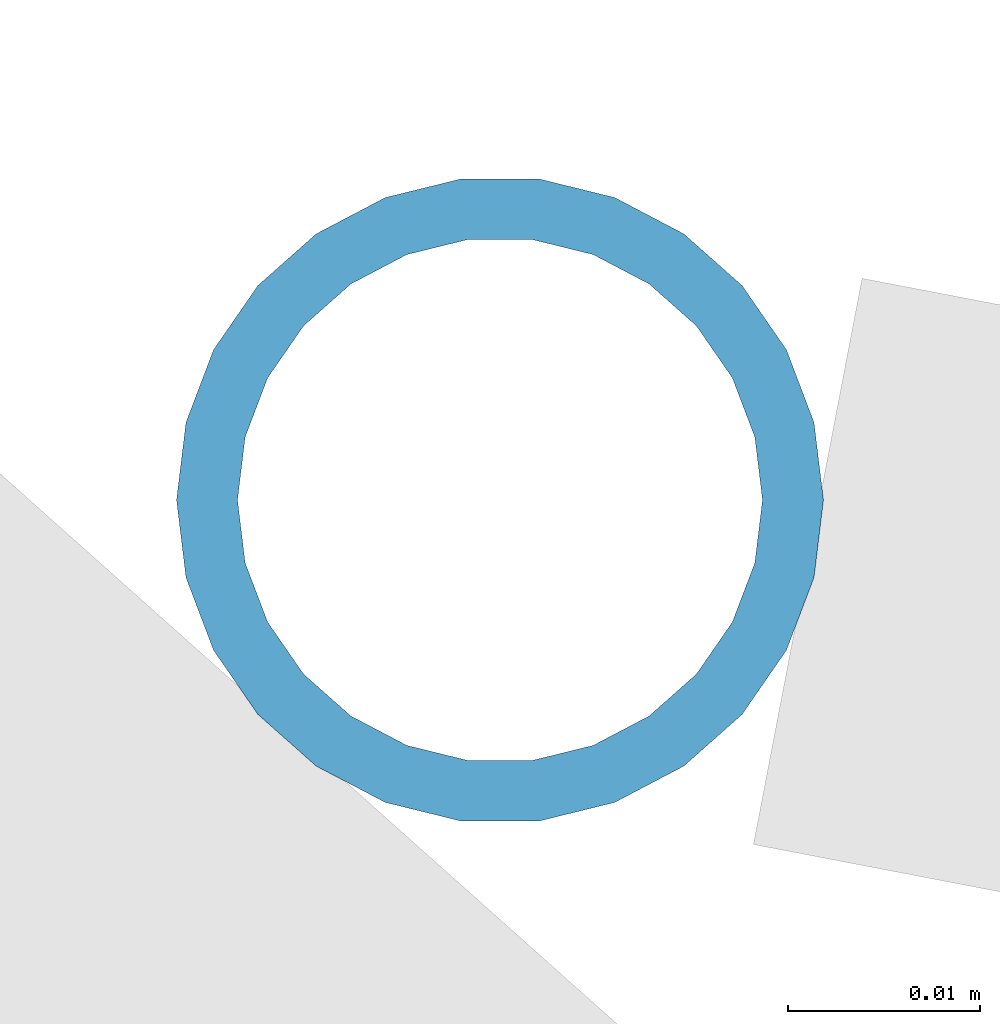
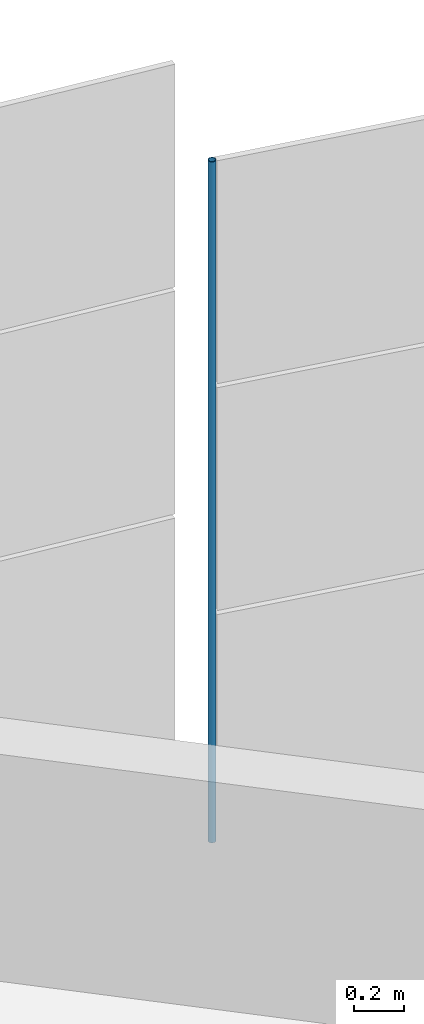
# One storey, part 130 of 199: 1 discrete accessory.
"""IFC4 building model written with IfcOpenShell, lengths in metres."""

import ifcopenshell
import ifcopenshell.guid

model = None  # the IFC model being written
_history = None  # IfcOwnerHistory: only IFC2X3 demands one
_inside = {}  # id of a spatial element -> (the spatial element, [elements in it])
_under = {}  # id of a project, library or spatial element -> (it, [spatial elements below it])
_declared = {}  # id of a project -> (the project, [libraries it declares])
_typed = {}  # id of a type object -> (the type object, [elements of that type])
_made_of = {}  # id of a material, layer set ... -> (it, [elements and type objects made of it])


def new_model(schema):
    """Start an empty IFC model of exactly this schema.

    Asked for "IFC4X3", IfcOpenShell would pick the latest addendum, in which some entities
    have other attributes; the version numbers below select the first issue.
    IFC2X3 requires an IfcOwnerHistory on every rooted entity: one is made here for all.
    """
    global model, _history
    if schema == "IFC4X3":
        model = ifcopenshell.file(schema_version=(4, 3, 0, 0))
    else:
        model = ifcopenshell.file(schema=schema)
    _inside.clear()
    _under.clear()
    _declared.clear()
    _typed.clear()
    _made_of.clear()
    _history = None
    if model.schema == "IFC2X3":
        org = make("IfcOrganization", Name="unknown")
        user = make(
            "IfcPersonAndOrganization",
            ThePerson=make("IfcPerson", FamilyName="unknown"),
            TheOrganization=org,
        )
        app = make(
            "IfcApplication",
            ApplicationDeveloper=org,
            Version="unknown",
            ApplicationFullName="unknown",
            ApplicationIdentifier="unknown",
        )
        _history = make(
            "IfcOwnerHistory",
            OwningUser=user,
            OwningApplication=app,
            ChangeAction="ADDED",
            CreationDate=0,
        )
    return model


def make(cls, **values):
    """One entity of the class cls with the attributes given. An attribute that is None is left unset."""
    return model.create_entity(
        cls, **{name: value for name, value in values.items() if value is not None}
    )


def rooted(cls, **values):
    """An entity with a GlobalId (a new one), such as an element, a storey or a relation."""
    return make(cls, GlobalId=ifcopenshell.guid.new(), OwnerHistory=_history, **values)


def si_unit(unit_type, name, prefix=None):
    """IfcSIUnit, for example si_unit("LENGTHUNIT", "METRE", prefix="MILLI")."""
    return make("IfcSIUnit", UnitType=unit_type, Prefix=prefix, Name=name)


def assignment(units):
    """IfcUnitAssignment: the units of a project."""
    return None if units is None else make("IfcUnitAssignment", Units=units)


def point(xyz):
    """IfcCartesianPoint."""
    return None if xyz is None else make("IfcCartesianPoint", Coordinates=xyz)


def direction(xyz):
    """IfcDirection."""
    return None if xyz is None else make("IfcDirection", DirectionRatios=xyz)


def frame(location, z_axis=None, x_axis=None):
    """IfcAxis2Placement3D, a coordinate frame: its origin and axes. An axis left out is left unset."""
    return make(
        "IfcAxis2Placement3D",
        Location=point(location),
        Axis=direction(z_axis),
        RefDirection=direction(x_axis),
    )


def frame_2d(location, x_axis=None):
    """IfcAxis2Placement2D, a coordinate frame in the plane: its origin and x axis."""
    return make(
        "IfcAxis2Placement2D", Location=point(location), RefDirection=direction(x_axis)
    )


def origin():
    """The frame at (0, 0, 0) with its axes left unset."""
    return frame((0.0, 0.0, 0.0))


def origin_2d():
    """The frame at (0, 0) in the plane with its x axis left unset."""
    return frame_2d((0.0, 0.0))


def place(relative_to, where):
    """IfcLocalPlacement: puts the frame where relative to a parent placement (None: the world)."""
    return make(
        "IfcLocalPlacement", PlacementRelTo=relative_to, RelativePlacement=where
    )


def context(
    kind, dimensions, precision=None, world=None, true_north=None, identifier=None
):
    """IfcGeometricRepresentationContext, for example the 3D "Model" context."""
    return make(
        "IfcGeometricRepresentationContext",
        ContextIdentifier=identifier,
        ContextType=kind,
        CoordinateSpaceDimension=dimensions,
        Precision=precision,
        WorldCoordinateSystem=world,
        TrueNorth=true_north,
    )


def subcontext(parent, identifier, kind, view, scale=None):
    """IfcGeometricRepresentationSubContext, for example "Body" below "Model"."""
    return make(
        "IfcGeometricRepresentationSubContext",
        ContextIdentifier=identifier,
        ContextType=kind,
        ParentContext=parent,
        TargetScale=scale,
        TargetView=view,
    )


def project(units=None, contexts=None):
    """IfcProject with its units and contexts."""
    return rooted(
        "IfcProject",
        Name="project",
        RepresentationContexts=contexts,
        UnitsInContext=assignment(units),
    )


def spatial(cls, under=None, at=None, **own):
    """A site, building, storey or space (cls), placed at a placement, below another one or the project."""
    s = rooted(cls, ObjectPlacement=at, **own)
    if under is not None:
        _under.setdefault(under.id(), (under, []))[1].append(s)
    return s


def profile(cls, at=None, kind="AREA", **sizes):
    """A parametric profile (cls). Its sizes go by their IFC names, for example OverallWidth=200.0."""
    return make(cls, ProfileType=kind, Position=at, **sizes)


def hollow_circle(**sizes):
    """IfcCircleHollowProfileDef."""
    return profile("IfcCircleHollowProfileDef", **sizes)


def extrude(swept, where, along, depth):
    """IfcExtrudedAreaSolid: the profile swept, set in the frame where, extruded along a direction by depth."""
    return make(
        "IfcExtrudedAreaSolid",
        SweptArea=swept,
        Position=where,
        ExtrudedDirection=direction(along),
        Depth=depth,
    )


def shape(context_of_items, identifier, shape_type, items):
    """IfcShapeRepresentation: the items that make up one representation, for example the "Body"."""
    return make(
        "IfcShapeRepresentation",
        ContextOfItems=context_of_items,
        RepresentationIdentifier=identifier,
        RepresentationType=shape_type,
        Items=items,
    )


def material(Name=None, Category=None):
    """IfcMaterial."""
    return make("IfcMaterial", Name=Name, Category=Category)


def material_profile(
    of_material, cross_section, Name=None, Category=None, Priority=None
):
    """IfcMaterialProfile: a cross section and its material."""
    return make(
        "IfcMaterialProfile",
        Name=Name,
        Material=of_material,
        Profile=cross_section,
        Priority=Priority,
        Category=Category,
    )


def profile_set(profiles, Name=None, composite=None):
    """IfcMaterialProfileSet."""
    return make(
        "IfcMaterialProfileSet",
        Name=Name,
        MaterialProfiles=profiles,
        CompositeProfile=composite,
    )


def made_of(thing, what):
    """Note that an element or type object is made of a material, layer set ...; save() writes the relation."""
    if what is not None:
        _made_of.setdefault(what.id(), (what, []))[1].append(thing)
    return thing


def type_object(cls, material=None, **own):
    """A type object (cls), such as IfcWallType, which elements share."""
    return made_of(rooted(cls, **own), material)


def element(
    cls,
    number,
    at=None,
    inside=None,
    cuts=None,
    type_object=None,
    material=None,
    context=None,
    identifier="Body",
    shape_type=None,
    held_by="IfcProductDefinitionShape",
    body=None,
    shapes=None,
    **own,
):
    """One element of the class cls, such as IfcWall. Its Tag is "e" and its number.

    at: its placement. inside: the storey or other place that contains it. cuts: it is an
    opening in that element (IfcRelVoidsElement). A single representation is given by context,
    identifier, shape_type and body (its items); several are given by shapes. held_by: the class
    of the entity that holds the representations. save() writes the other relations.
    """
    e = rooted(cls, Tag="e%d" % number, ObjectPlacement=at, **own)
    if body is not None:
        shapes = [shape(context, identifier, shape_type, body)]
    if shapes is not None:
        e.Representation = make(held_by, Representations=shapes)
    if inside is not None:
        _inside.setdefault(inside.id(), (inside, []))[1].append(e)
    if cuts is not None:
        rooted(
            "IfcRelVoidsElement", RelatingBuildingElement=cuts, RelatedOpeningElement=e
        )
    if type_object is not None:
        _typed.setdefault(type_object.id(), (type_object, []))[1].append(e)
    return made_of(e, material)


def aggregate(whole, parts):
    """IfcRelAggregates: a whole, such as a stair, and the parts it consists of."""
    return rooted("IfcRelAggregates", RelatingObject=whole, RelatedObjects=parts)


def save(model, path):
    """Write the relations noted so far, then the file.

    IfcRelAggregates (storeys below a building ...), IfcRelContainedInSpatialStructure (elements
    in a storey), IfcRelDefinesByType, IfcRelAssociatesMaterial and IfcRelDeclares: one each for
    every whole, place, type object, material and project.
    """
    for whole, parts in _under.values():
        aggregate(whole, parts)
    for where, things in _inside.values():
        rooted(
            "IfcRelContainedInSpatialStructure",
            RelatedElements=things,
            RelatingStructure=where,
        )
    for kind, things in _typed.values():
        rooted("IfcRelDefinesByType", RelatedObjects=things, RelatingType=kind)
    for what, things in _made_of.values():
        rooted("IfcRelAssociatesMaterial", RelatedObjects=things, RelatingMaterial=what)
    for by, libraries in _declared.values():
        rooted("IfcRelDeclares", RelatingContext=by, RelatedDefinitions=libraries)
    model.write(path)


model = new_model("IFC4")

# Units and contexts
model_context = context("Model", 3, precision=1e-05, world=origin(), true_north=direction((0.0, 1.0)))
body_context = subcontext(model_context, "Body", "Model", "MODEL_VIEW")
ifc_project = project(units=[si_unit("LENGTHUNIT", "METRE"), si_unit("AREAUNIT", "SQUARE_METRE"), si_unit("VOLUMEUNIT", "CUBIC_METRE"), si_unit("PLANEANGLEUNIT", "RADIAN"), si_unit("MASSUNIT", "GRAM", prefix="KILO")], contexts=[model_context])

# Site, building, storey
site_placement = place(None, origin())
site = spatial("IfcSite", under=ifc_project, at=site_placement, CompositionType="ELEMENT")
building_placement = place(site_placement, origin())
building = spatial("IfcBuilding", under=site, at=building_placement, Name="Parallax Yard Mobility Hub", CompositionType="ELEMENT")
storey_placement = place(building_placement, frame((0.0, 0.0, 9.89990234375)))
storey = spatial("IfcBuildingStorey", under=building, at=storey_placement, Name="L03", CompositionType="ELEMENT", Elevation=9.89990234375)

# Discrete accessory
ifc_material = material(Name="Steel ASTM A500 Gr C, hot-dip galvanised", Category="steel")
ifc_material_profile = material_profile(ifc_material, hollow_circle(Radius=0.016845703125, WallThickness=0.003173828125, at=origin_2d()), Name="CHS 33.7x3.2")
ifc_profile_set = profile_set([ifc_material_profile], Name="Steel ASTM A500 Gr C, hot-dip galvanised")
discrete_accessory_type = type_object("IfcDiscreteAccessoryType", Name="Hinge post CHS 33.7x3.2", PredefinedType="BRACKET", material=ifc_profile_set)
discrete_accessory_placement = place(storey_placement, frame((208.47021484375, 129.36279296875, 0.0), z_axis=(0.0, 0.0, 1.0), x_axis=(1.0, 0.0, 0.0)))
element("IfcDiscreteAccessory", 1, at=discrete_accessory_placement, inside=storey, type_object=discrete_accessory_type, Name="Hinge post bay 46.3 level L03", PredefinedType="BRACKET", context=body_context, shape_type="SweptSolid", body=[
    extrude(hollow_circle(Radius=0.016845703125, WallThickness=0.003173828125, at=origin_2d()), origin(), (0.0, 0.0, 1.0), 3.300048828125),
])

save(model, "model.ifc")
